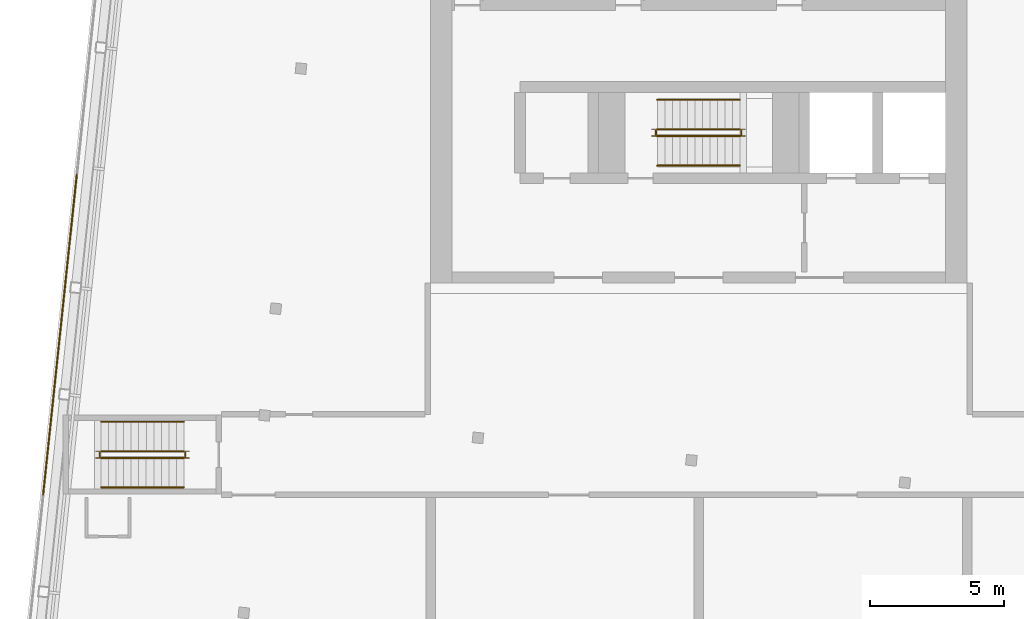
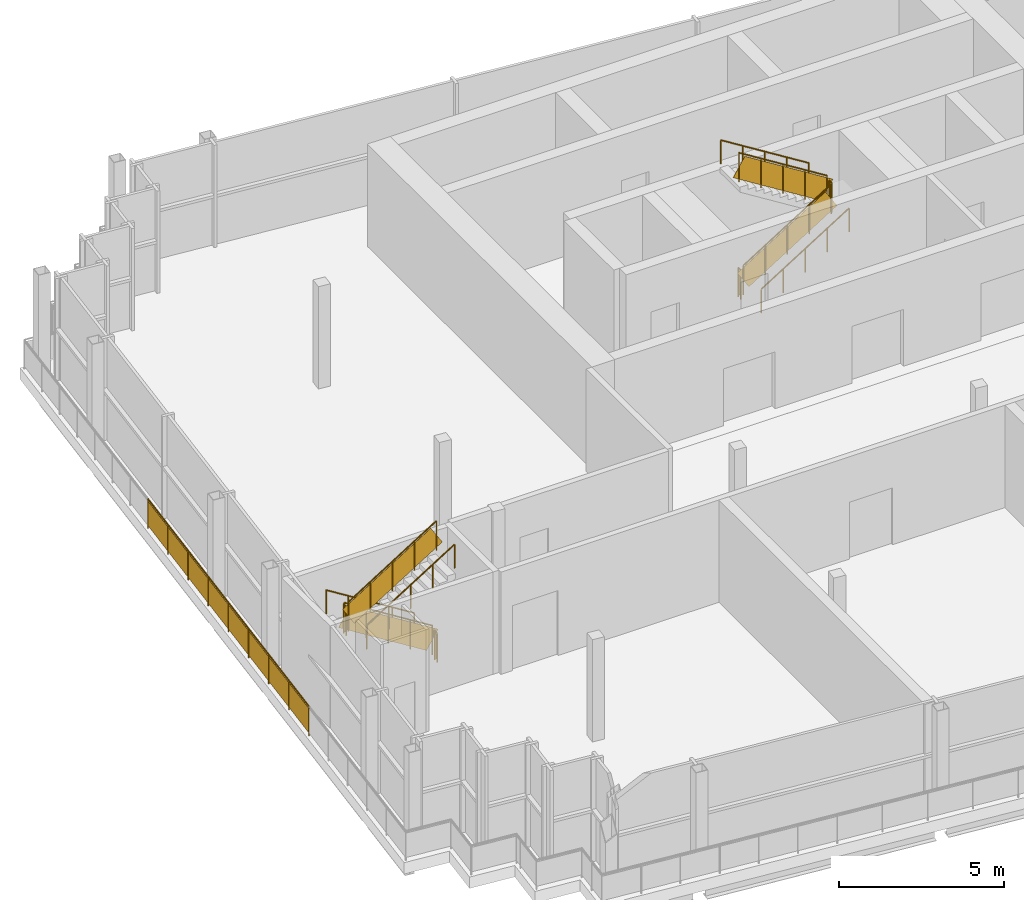
# One storey, part 11 of 13: 13 railings.
"""IFC4 building model written with IfcOpenShell, lengths in metres."""

from ifc_helpers import new_model, si_unit, direction, frame, origin, origin_2d, place, context, subcontext, project, spatial, rectangle, circle, extrude, material, type_object, element, save


model = new_model("IFC4")

# Units and contexts
model_context = context("Model", 3, precision=1e-05, world=origin(), true_north=direction((0.0, 1.0)))
body_context = subcontext(model_context, "Body", "Model", "MODEL_VIEW")
ifc_project = project(units=[si_unit("LENGTHUNIT", "METRE"), si_unit("AREAUNIT", "SQUARE_METRE"), si_unit("VOLUMEUNIT", "CUBIC_METRE"), si_unit("PLANEANGLEUNIT", "RADIAN"), si_unit("MASSUNIT", "GRAM", prefix="KILO")], contexts=[model_context])

# Site, building, storey
site_placement = place(None, origin())
site = spatial("IfcSite", under=ifc_project, at=site_placement, CompositionType="ELEMENT")
building_placement = place(site_placement, origin())
building = spatial("IfcBuilding", under=site, at=building_placement, Name="Vidyagriha Tower", CompositionType="ELEMENT")
storey_placement = place(building_placement, frame((0.0, 0.0, 309.199951171875)))
storey = spatial("IfcBuildingStorey", under=building, at=storey_placement, Name="L79", CompositionType="ELEMENT", Elevation=309.199951171875)

# Railings
ifc_material_1 = material(Name="Steel ASTM A500 Grade C black painted", Category="steel")
railing_type_1 = type_object("IfcRailingType", Name="Gallery guard 1100", PredefinedType="GUARDRAIL", material=ifc_material_1)
railing_1_placement = place(storey_placement, frame((-24.444091796875, -1.4921875, 0.0)))
element("IfcRailing", 1, at=railing_1_placement, inside=storey, type_object=railing_type_1, Name="Gallery guard L79 7", PredefinedType="GUARDRAIL", context=body_context, shape_type="SweptSolid", body=[
    extrude(circle(Radius=0.02490234375, at=origin_2d()), frame((0.0, 0.0, 1.0751953125), z_axis=(0.104534394972, 0.994521271903, 0.0), x_axis=(-0.994521271903, 0.104534394972, 0.0)), (0.0, 0.0, 1.0), 11.999755859375),
    extrude(circle(Radius=0.02001953125, at=origin_2d()), origin(), (0.0, 0.0, 1.0), 1.050048828125),
    extrude(circle(Radius=0.02001953125, at=origin_2d()), frame((0.15673828125, 1.49169921875, 0.0)), (0.0, 0.0, 1.0), 1.050048828125),
    extrude(circle(Radius=0.02001953125, at=origin_2d()), frame((0.3134765625, 2.9833984375, 0.0)), (0.0, 0.0, 1.0), 1.050048828125),
    extrude(circle(Radius=0.02001953125, at=origin_2d()), frame((0.470458984375, 4.475341796875, 0.0)), (0.0, 0.0, 1.0), 1.050048828125),
    extrude(circle(Radius=0.02001953125, at=origin_2d()), frame((0.627197265625, 5.967041015625, 0.0)), (0.0, 0.0, 1.0), 1.050048828125),
    extrude(circle(Radius=0.02001953125, at=origin_2d()), frame((0.783935546875, 7.458740234375, 0.0)), (0.0, 0.0, 1.0), 1.050048828125),
    extrude(circle(Radius=0.02001953125, at=origin_2d()), frame((0.94091796875, 8.95068359375, 0.0)), (0.0, 0.0, 1.0), 1.050048828125),
    extrude(circle(Radius=0.02001953125, at=origin_2d()), frame((1.09765625, 10.4423828125, 0.0)), (0.0, 0.0, 1.0), 1.050048828125),
    extrude(circle(Radius=0.02001953125, at=origin_2d()), frame((1.25439453125, 11.93408203125, 0.0)), (0.0, 0.0, 1.0), 1.050048828125),
    extrude(rectangle(XDim=0.010009765625, YDim=0.900146484375, at=origin_2d()), frame((0.0, 0.0, 0.550048828125), z_axis=(0.104534394972, 0.994521271903, 0.0), x_axis=(-0.994521271903, 0.104534394972, 0.0)), (0.0, 0.0, 1.0), 11.999755859375),
])
ifc_material_2 = material(Name="Steel ASTM A500 Grade C", Category="steel")
railing_type_2 = type_object("IfcRailingType", Name="Stair guard 1100 mm, steel balustrade", PredefinedType="GUARDRAIL", material=ifc_material_2)
railing_2_placement = place(storey_placement, frame((-1.550048828125, 11.875, 0.175048828125)))
element("IfcRailing", 2, at=railing_2_placement, inside=storey, type_object=railing_type_2, Name="L79 ST-D stair guard 1", PredefinedType="GUARDRAIL", context=body_context, shape_type="SweptSolid", body=[
    extrude(circle(Radius=0.02392578125, at=origin_2d()), frame((0.0, 0.0, 1.076171875), z_axis=(0.847998304005, 0.0, 0.529998940003), x_axis=(0.0, 1.0, 0.0)), (0.0, 0.0, 1.0), 3.632080078125),
    extrude(circle(Radius=0.02099609375, at=origin_2d()), origin(), (0.0, 0.0, 1.0), 1.052001953125),
    extrude(circle(Radius=0.02099609375, at=origin_2d()), frame((0.77001953125, 0.0, 0.481201171875)), (0.0, 0.0, 1.0), 1.052001953125),
    extrude(circle(Radius=0.02099609375, at=origin_2d()), frame((1.5400390625, 0.0, 0.96240234375)), (0.0, 0.0, 1.0), 1.052001953125),
    extrude(circle(Radius=0.02099609375, at=origin_2d()), frame((2.31005859375, 0.0, 1.44384765625)), (0.0, 0.0, 1.0), 1.052001953125),
    extrude(circle(Radius=0.02099609375, at=origin_2d()), frame((3.080078125, 0.0, 1.925048828125)), (0.0, 0.0, 1.0), 1.052001953125),
    extrude(rectangle(XDim=0.010009765625, YDim=0.764892578125, at=origin_2d()), frame((0.0, 0.0, 0.551025390625), z_axis=(0.847998304005, 0.0, 0.529998940003), x_axis=(0.0, 1.0, 0.0)), (0.0, 0.0, 1.0), 3.632080078125),
])
railing_3_placement = place(storey_placement, frame((1.580078125, 11.925048828125, 2.10009765625)))
element("IfcRailing", 3, at=railing_3_placement, inside=storey, type_object=railing_type_2, Name="L79 ST-D stair guard 2", PredefinedType="GUARDRAIL", context=body_context, shape_type="SweptSolid", body=[
    extrude(circle(Radius=0.02392578125, at=origin_2d()), frame((0.0, 0.0, 1.076171875), z_axis=(0.0, 1.0, 0.0), x_axis=(-1.0, 0.0, 0.0)), (0.0, 0.0, 1.0), 0.14990234375),
    extrude(circle(Radius=0.02099609375, at=origin_2d()), origin(), (0.0, 0.0, 1.0), 1.052001953125),
    extrude(circle(Radius=0.02099609375, at=origin_2d()), frame((0.0, 0.14990234375, 0.0)), (0.0, 0.0, 1.0), 1.052001953125),
    extrude(rectangle(XDim=0.010009765625, YDim=0.902099609375, at=origin_2d()), frame((0.0, 0.0, 0.551025390625), z_axis=(0.0, 1.0, 0.0), x_axis=(-1.0, 0.0, 0.0)), (0.0, 0.0, 1.0), 0.14990234375),
])
railing_4_placement = place(storey_placement, frame((1.530029296875, 12.125, 2.275146484375)))
element("IfcRailing", 4, at=railing_4_placement, inside=storey, type_object=railing_type_2, Name="L79 ST-D stair guard 3", PredefinedType="GUARDRAIL", context=body_context, shape_type="SweptSolid", body=[
    extrude(circle(Radius=0.02392578125, at=origin_2d()), frame((0.0, 0.0, 1.076171875), z_axis=(-0.848028513186, 0.0, 0.529950602248), x_axis=(0.0, -1.0, 0.0)), (0.0, 0.0, 1.0), 3.632080078125),
    extrude(circle(Radius=0.02099609375, at=origin_2d()), origin(), (0.0, 0.0, 1.0), 1.052001953125),
    extrude(circle(Radius=0.02099609375, at=origin_2d()), frame((-0.77001953125, 0.0, 0.481201171875)), (0.0, 0.0, 1.0), 1.052001953125),
    extrude(circle(Radius=0.02099609375, at=origin_2d()), frame((-1.5400390625, 0.0, 0.96240234375)), (0.0, 0.0, 1.0), 1.052001953125),
    extrude(circle(Radius=0.02099609375, at=origin_2d()), frame((-2.31005859375, 0.0, 1.443603515625)), (0.0, 0.0, 1.0), 1.052001953125),
    extrude(circle(Radius=0.02099609375, at=origin_2d()), frame((-3.080078125, 0.0, 1.9248046875)), (0.0, 0.0, 1.0), 1.052001953125),
    extrude(rectangle(XDim=0.010009765625, YDim=0.764892578125, at=origin_2d()), frame((0.0, 0.0, 0.551025390625), z_axis=(-0.848028513186, 0.0, 0.529950602248), x_axis=(0.0, -1.0, 0.0)), (0.0, 0.0, 1.0), 3.632080078125),
])
railing_5_placement = place(storey_placement, frame((-1.60009765625, 11.925048828125, 0.0)))
element("IfcRailing", 5, at=railing_5_placement, inside=storey, type_object=railing_type_2, Name="L79 ST-D stair guard 4", PredefinedType="GUARDRAIL", context=body_context, shape_type="SweptSolid", body=[
    extrude(circle(Radius=0.02392578125, at=origin_2d()), frame((0.0, 0.0, 1.076171875), z_axis=(0.0, 1.0, 0.0), x_axis=(-1.0, 0.0, 0.0)), (0.0, 0.0, 1.0), 0.14990234375),
    extrude(circle(Radius=0.02099609375, at=origin_2d()), origin(), (0.0, 0.0, 1.0), 1.052001953125),
    extrude(circle(Radius=0.02099609375, at=origin_2d()), frame((0.0, 0.14990234375, 0.0)), (0.0, 0.0, 1.0), 1.052001953125),
    extrude(rectangle(XDim=0.010009765625, YDim=0.902099609375, at=origin_2d()), frame((0.0, 0.0, 0.551025390625), z_axis=(0.0, 1.0, 0.0), x_axis=(-1.0, 0.0, 0.0)), (0.0, 0.0, 1.0), 0.14990234375),
])
railing_6_placement = place(storey_placement, frame((-19.199951171875, 0.125, 0.175048828125)))
element("IfcRailing", 6, at=railing_6_placement, inside=storey, type_object=railing_type_2, Name="L79 ST-D2 stair guard 1", PredefinedType="GUARDRAIL", context=body_context, shape_type="SweptSolid", body=[
    extrude(circle(Radius=0.02392578125, at=origin_2d()), frame((0.0, 0.0, 1.076171875), z_axis=(-0.847998304005, 0.0, 0.529998940003), x_axis=(0.0, -1.0, 0.0)), (0.0, 0.0, 1.0), 3.632080078125),
    extrude(circle(Radius=0.02099609375, at=origin_2d()), origin(), (0.0, 0.0, 1.0), 1.052001953125),
    extrude(circle(Radius=0.02099609375, at=origin_2d()), frame((-0.77001953125, 0.0, 0.481201171875)), (0.0, 0.0, 1.0), 1.052001953125),
    extrude(circle(Radius=0.02099609375, at=origin_2d()), frame((-1.5400390625, 0.0, 0.96240234375)), (0.0, 0.0, 1.0), 1.052001953125),
    extrude(circle(Radius=0.02099609375, at=origin_2d()), frame((-2.31005859375, 0.0, 1.44384765625)), (0.0, 0.0, 1.0), 1.052001953125),
    extrude(circle(Radius=0.02099609375, at=origin_2d()), frame((-3.080078125, 0.0, 1.925048828125)), (0.0, 0.0, 1.0), 1.052001953125),
    extrude(rectangle(XDim=0.010009765625, YDim=0.764892578125, at=origin_2d()), frame((0.0, 0.0, 0.551025390625), z_axis=(-0.847998304005, 0.0, 0.529998940003), x_axis=(0.0, -1.0, 0.0)), (0.0, 0.0, 1.0), 3.632080078125),
])
railing_7_placement = place(storey_placement, frame((-22.330078125, 0.074951171875, 2.10009765625)))
element("IfcRailing", 7, at=railing_7_placement, inside=storey, type_object=railing_type_2, Name="L79 ST-D2 stair guard 2", PredefinedType="GUARDRAIL", context=body_context, shape_type="SweptSolid", body=[
    extrude(circle(Radius=0.02392578125, at=origin_2d()), frame((0.0, 0.0, 1.076171875), z_axis=(0.0, -1.0, 0.0), x_axis=(1.0, 0.0, 0.0)), (0.0, 0.0, 1.0), 0.14990234375),
    extrude(circle(Radius=0.02099609375, at=origin_2d()), origin(), (0.0, 0.0, 1.0), 1.052001953125),
    extrude(circle(Radius=0.02099609375, at=origin_2d()), frame((0.0, -0.14990234375, 0.0)), (0.0, 0.0, 1.0), 1.052001953125),
    extrude(rectangle(XDim=0.010009765625, YDim=0.902099609375, at=origin_2d()), frame((0.0, 0.0, 0.551025390625), z_axis=(0.0, -1.0, 0.0), x_axis=(1.0, 0.0, 0.0)), (0.0, 0.0, 1.0), 0.14990234375),
])
railing_8_placement = place(storey_placement, frame((-22.280029296875, -0.125, 2.275146484375)))
element("IfcRailing", 8, at=railing_8_placement, inside=storey, type_object=railing_type_2, Name="L79 ST-D2 stair guard 3", PredefinedType="GUARDRAIL", context=body_context, shape_type="SweptSolid", body=[
    extrude(circle(Radius=0.02392578125, at=origin_2d()), frame((0.0, 0.0, 1.076171875), z_axis=(0.848028513186, 0.0, 0.529950602248), x_axis=(0.0, 1.0, 0.0)), (0.0, 0.0, 1.0), 3.632080078125),
    extrude(circle(Radius=0.02099609375, at=origin_2d()), origin(), (0.0, 0.0, 1.0), 1.052001953125),
    extrude(circle(Radius=0.02099609375, at=origin_2d()), frame((0.77001953125, 0.0, 0.481201171875)), (0.0, 0.0, 1.0), 1.052001953125),
    extrude(circle(Radius=0.02099609375, at=origin_2d()), frame((1.5400390625, 0.0, 0.96240234375)), (0.0, 0.0, 1.0), 1.052001953125),
    extrude(circle(Radius=0.02099609375, at=origin_2d()), frame((2.31005859375, 0.0, 1.443603515625)), (0.0, 0.0, 1.0), 1.052001953125),
    extrude(circle(Radius=0.02099609375, at=origin_2d()), frame((3.080078125, 0.0, 1.9248046875)), (0.0, 0.0, 1.0), 1.052001953125),
    extrude(rectangle(XDim=0.010009765625, YDim=0.764892578125, at=origin_2d()), frame((0.0, 0.0, 0.551025390625), z_axis=(0.848028513186, 0.0, 0.529950602248), x_axis=(0.0, 1.0, 0.0)), (0.0, 0.0, 1.0), 3.632080078125),
])
railing_9_placement = place(storey_placement, frame((-19.14990234375, 0.074951171875, 0.0)))
element("IfcRailing", 9, at=railing_9_placement, inside=storey, type_object=railing_type_2, Name="L79 ST-D2 stair guard 4", PredefinedType="GUARDRAIL", context=body_context, shape_type="SweptSolid", body=[
    extrude(circle(Radius=0.02392578125, at=origin_2d()), frame((0.0, 0.0, 1.076171875), z_axis=(0.0, -1.0, 0.0), x_axis=(1.0, 0.0, 0.0)), (0.0, 0.0, 1.0), 0.14990234375),
    extrude(circle(Radius=0.02099609375, at=origin_2d()), origin(), (0.0, 0.0, 1.0), 1.052001953125),
    extrude(circle(Radius=0.02099609375, at=origin_2d()), frame((0.0, -0.14990234375, 0.0)), (0.0, 0.0, 1.0), 1.052001953125),
    extrude(rectangle(XDim=0.010009765625, YDim=0.902099609375, at=origin_2d()), frame((0.0, 0.0, 0.551025390625), z_axis=(0.0, -1.0, 0.0), x_axis=(1.0, 0.0, 0.0)), (0.0, 0.0, 1.0), 0.14990234375),
])
ifc_material_3 = material(Name="Steel ASTM A500 Grade C", Category="steel")
railing_type_3 = type_object("IfcRailingType", Name="Stair handrail 900 mm, steel", PredefinedType="HANDRAIL", material=ifc_material_3)
railing_10_placement = place(storey_placement, frame((-1.550048828125, 10.77490234375, 0.175048828125)))
element("IfcRailing", 10, at=railing_10_placement, inside=storey, type_object=railing_type_3, Name="L79 ST-D stair handrail 1", PredefinedType="HANDRAIL", context=body_context, shape_type="SweptSolid", body=[
    extrude(circle(Radius=0.02392578125, at=origin_2d()), frame((0.0, 0.0, 0.8759765625), z_axis=(0.847998304005, 0.0, 0.529998940003), x_axis=(0.0, 1.0, 0.0)), (0.0, 0.0, 1.0), 3.632080078125),
    extrude(circle(Radius=0.02099609375, at=origin_2d()), origin(), (0.0, 0.0, 1.0), 0.851806640625),
    extrude(circle(Radius=0.02099609375, at=origin_2d()), frame((0.77001953125, 0.0, 0.481201171875)), (0.0, 0.0, 1.0), 0.851806640625),
    extrude(circle(Radius=0.02099609375, at=origin_2d()), frame((1.5400390625, 0.0, 0.96240234375)), (0.0, 0.0, 1.0), 0.851806640625),
    extrude(circle(Radius=0.02099609375, at=origin_2d()), frame((2.31005859375, 0.0, 1.44384765625)), (0.0, 0.0, 1.0), 0.851806640625),
    extrude(circle(Radius=0.02099609375, at=origin_2d()), frame((3.080078125, 0.0, 1.925048828125)), (0.0, 0.0, 1.0), 0.851806640625),
])
railing_11_placement = place(storey_placement, frame((1.530029296875, 13.22509765625, 2.275146484375)))
element("IfcRailing", 11, at=railing_11_placement, inside=storey, type_object=railing_type_3, Name="L79 ST-D stair handrail 2", PredefinedType="HANDRAIL", context=body_context, shape_type="SweptSolid", body=[
    extrude(circle(Radius=0.02392578125, at=origin_2d()), frame((0.0, 0.0, 0.8759765625), z_axis=(-0.848028513186, 0.0, 0.529950602248), x_axis=(0.0, -1.0, 0.0)), (0.0, 0.0, 1.0), 3.632080078125),
    extrude(circle(Radius=0.02099609375, at=origin_2d()), origin(), (0.0, 0.0, 1.0), 0.851806640625),
    extrude(circle(Radius=0.02099609375, at=origin_2d()), frame((-0.77001953125, 0.0, 0.481201171875)), (0.0, 0.0, 1.0), 0.851806640625),
    extrude(circle(Radius=0.02099609375, at=origin_2d()), frame((-1.5400390625, 0.0, 0.96240234375)), (0.0, 0.0, 1.0), 0.851806640625),
    extrude(circle(Radius=0.02099609375, at=origin_2d()), frame((-2.31005859375, 0.0, 1.443603515625)), (0.0, 0.0, 1.0), 0.851806640625),
    extrude(circle(Radius=0.02099609375, at=origin_2d()), frame((-3.080078125, 0.0, 1.9248046875)), (0.0, 0.0, 1.0), 0.851806640625),
])
railing_12_placement = place(storey_placement, frame((-19.199951171875, 1.22509765625, 0.175048828125)))
element("IfcRailing", 12, at=railing_12_placement, inside=storey, type_object=railing_type_3, Name="L79 ST-D2 stair handrail 1", PredefinedType="HANDRAIL", context=body_context, shape_type="SweptSolid", body=[
    extrude(circle(Radius=0.02392578125, at=origin_2d()), frame((0.0, 0.0, 0.8759765625), z_axis=(-0.847998304005, 0.0, 0.529998940003), x_axis=(0.0, -1.0, 0.0)), (0.0, 0.0, 1.0), 3.632080078125),
    extrude(circle(Radius=0.02099609375, at=origin_2d()), origin(), (0.0, 0.0, 1.0), 0.851806640625),
    extrude(circle(Radius=0.02099609375, at=origin_2d()), frame((-0.77001953125, 0.0, 0.481201171875)), (0.0, 0.0, 1.0), 0.851806640625),
    extrude(circle(Radius=0.02099609375, at=origin_2d()), frame((-1.5400390625, 0.0, 0.96240234375)), (0.0, 0.0, 1.0), 0.851806640625),
    extrude(circle(Radius=0.02099609375, at=origin_2d()), frame((-2.31005859375, 0.0, 1.44384765625)), (0.0, 0.0, 1.0), 0.851806640625),
    extrude(circle(Radius=0.02099609375, at=origin_2d()), frame((-3.080078125, 0.0, 1.925048828125)), (0.0, 0.0, 1.0), 0.851806640625),
])
railing_13_placement = place(storey_placement, frame((-22.280029296875, -1.22509765625, 2.275146484375)))
element("IfcRailing", 13, at=railing_13_placement, inside=storey, type_object=railing_type_3, Name="L79 ST-D2 stair handrail 2", PredefinedType="HANDRAIL", context=body_context, shape_type="SweptSolid", body=[
    extrude(circle(Radius=0.02392578125, at=origin_2d()), frame((0.0, 0.0, 0.8759765625), z_axis=(0.848028513186, 0.0, 0.529950602248), x_axis=(0.0, 1.0, 0.0)), (0.0, 0.0, 1.0), 3.632080078125),
    extrude(circle(Radius=0.02099609375, at=origin_2d()), origin(), (0.0, 0.0, 1.0), 0.851806640625),
    extrude(circle(Radius=0.02099609375, at=origin_2d()), frame((0.77001953125, 0.0, 0.481201171875)), (0.0, 0.0, 1.0), 0.851806640625),
    extrude(circle(Radius=0.02099609375, at=origin_2d()), frame((1.5400390625, 0.0, 0.96240234375)), (0.0, 0.0, 1.0), 0.851806640625),
    extrude(circle(Radius=0.02099609375, at=origin_2d()), frame((2.31005859375, 0.0, 1.443603515625)), (0.0, 0.0, 1.0), 0.851806640625),
    extrude(circle(Radius=0.02099609375, at=origin_2d()), frame((3.080078125, 0.0, 1.9248046875)), (0.0, 0.0, 1.0), 0.851806640625),
])

save(model, "model.ifc")
